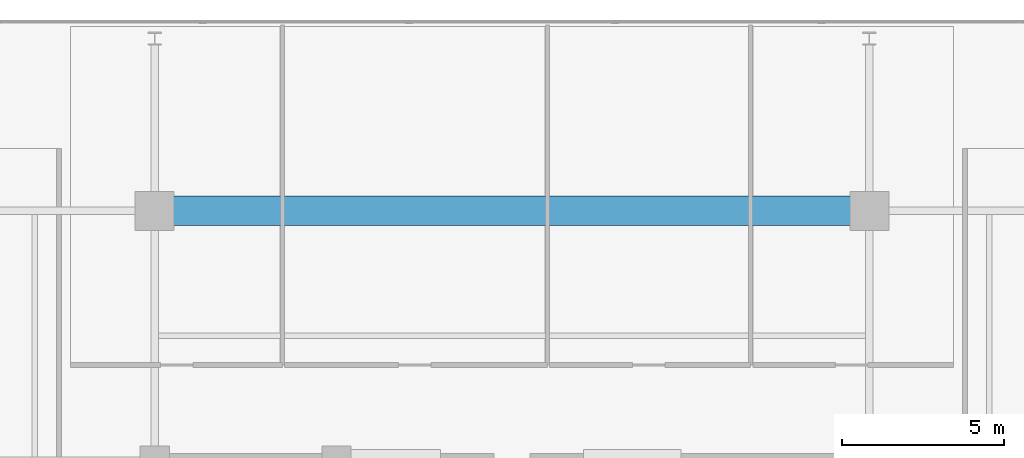
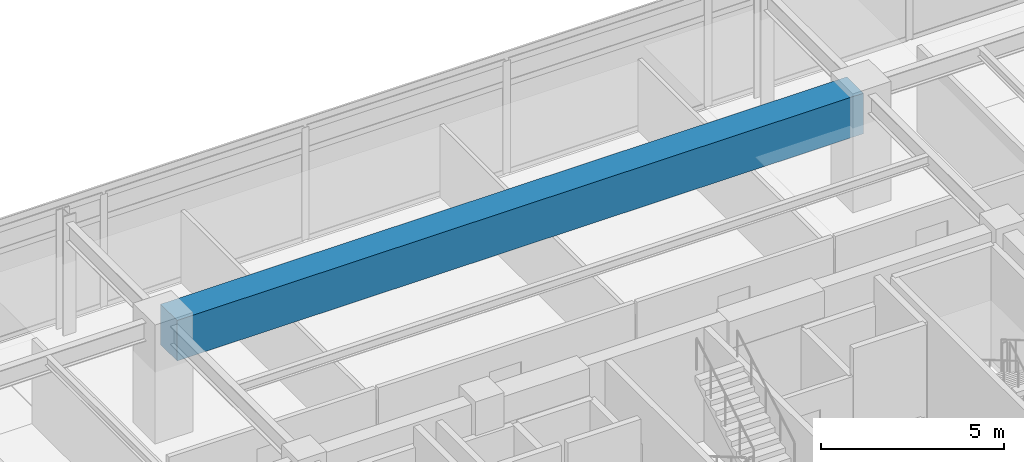
# One storey, part 10 of 23: 1 beam.
"""IFC4 building model written with IfcOpenShell, lengths in metres."""

from ifc_helpers import new_model, si_unit, direction, frame, origin, origin_2d, place, context, subcontext, project, spatial, rectangle, extrude, material, material_profile, profile_set, type_object, element, save


model = new_model("IFC4")

# Units and contexts
model_context = context("Model", 3, precision=1e-05, world=origin(), true_north=direction((0.0, 1.0)))
body_context = subcontext(model_context, "Body", "Model", "MODEL_VIEW")
ifc_project = project(units=[si_unit("LENGTHUNIT", "METRE"), si_unit("AREAUNIT", "SQUARE_METRE"), si_unit("VOLUMEUNIT", "CUBIC_METRE"), si_unit("PLANEANGLEUNIT", "RADIAN"), si_unit("MASSUNIT", "GRAM", prefix="KILO")], contexts=[model_context])

# Site, building, storey
site_placement = place(None, origin())
site = spatial("IfcSite", under=ifc_project, at=site_placement, CompositionType="ELEMENT")
building_placement = place(site_placement, origin())
building = spatial("IfcBuilding", under=site, at=building_placement, Name="Kovane Verandah Tower", CompositionType="ELEMENT")
storey_placement = place(building_placement, frame((0.0, 0.0, 267.199951171875)))
storey = spatial("IfcBuildingStorey", under=building, at=storey_placement, Name="L62", CompositionType="ELEMENT", Elevation=267.199951171875)

# Beam
ifc_material = material(Name="Concrete C80/95", Category="concrete")
ifc_material_profile = material_profile(ifc_material, rectangle(XDim=0.89990234375, YDim=1.35009765625, at=origin_2d()), Name="RCB900x1350")
ifc_profile_set = profile_set([ifc_material_profile], Name="Concrete C80/95")
beam_type = type_object("IfcBeamType", Name="BM-TR-900x1350", PredefinedType="BEAM", material=ifc_profile_set)
beam_placement = place(storey_placement, frame((29.179931640625, 44.199951171875, 3.110107421875), z_axis=(1.0, 0.0, 0.0), x_axis=(0.0, 1.0, 0.0)))
element("IfcBeam", 1, at=beam_placement, inside=storey, type_object=beam_type, Name="L62 Primary Tower Girder G-RN2", PredefinedType="BEAM", context=body_context, shape_type="SweptSolid", body=[
    extrude(rectangle(XDim=0.89990234375, YDim=1.35009765625, at=origin_2d()), origin(), (0.0, 0.0, 1.0), 21.64013671875),
])

save(model, "model.ifc")
